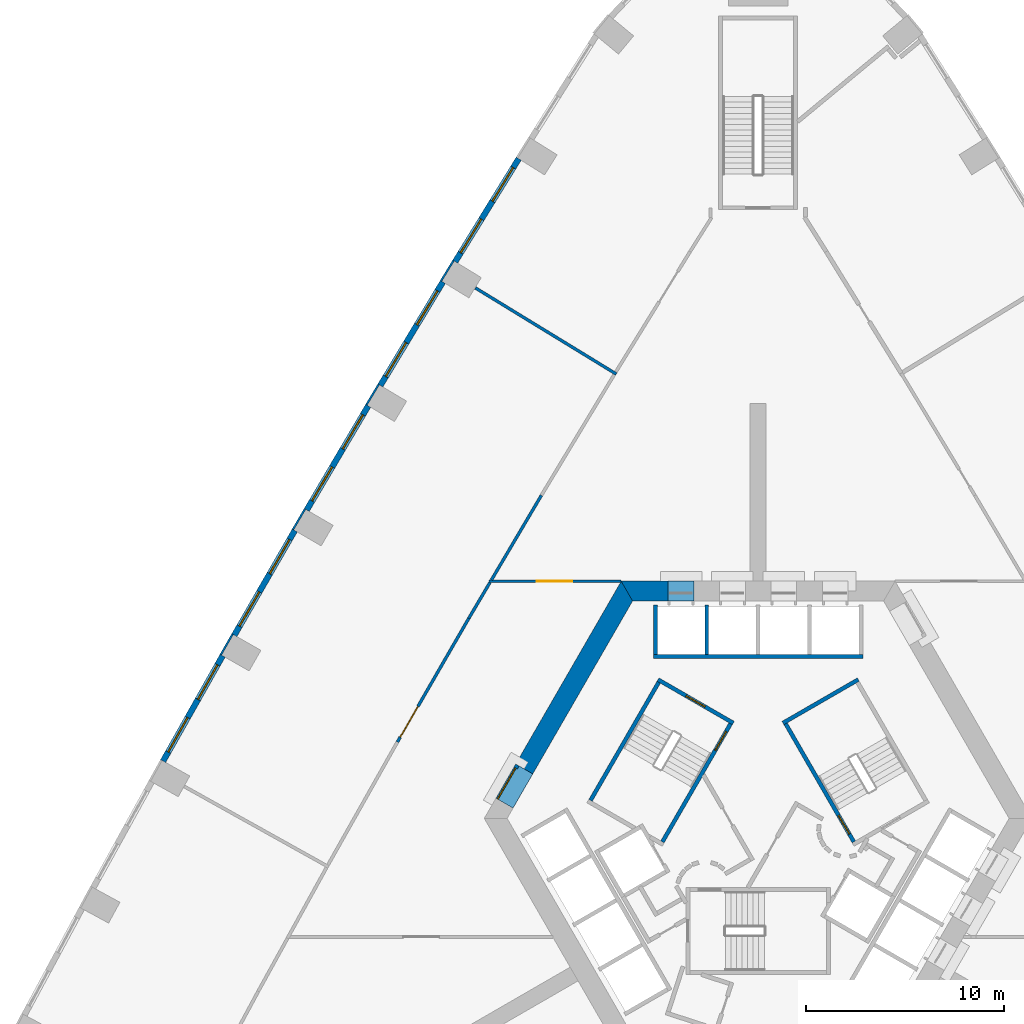
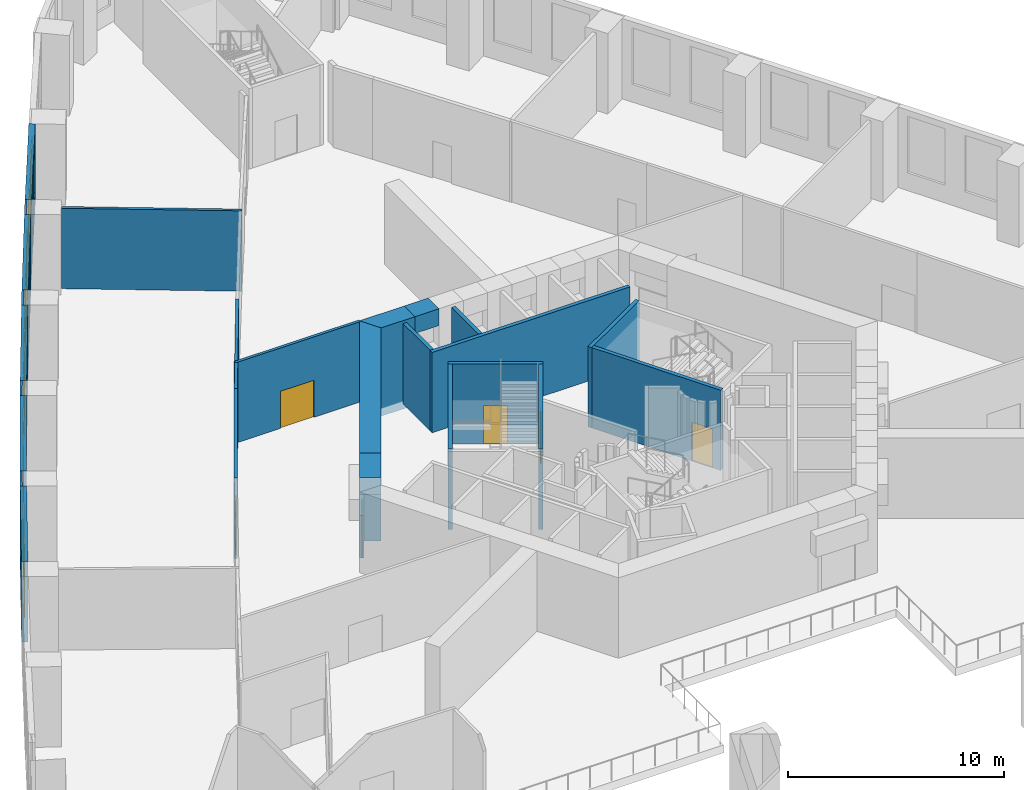
# One storey, part 5 of 16: 27 walls, 10 windows, 6 doors, 16 openings.
"""IFC4 building model written with IfcOpenShell, lengths in metres."""

from ifc_helpers import new_model, si_unit, direction, frame, frame_2d, origin, place, context, subcontext, project, spatial, polyline, rectangle, outline, extrude, material, layer, layer_set, type_object, element, fill, save


model = new_model("IFC4")

# Units and contexts
model_context = context("Model", 3, precision=1e-05, world=origin(), true_north=direction((0.0, 1.0)))
body_context = subcontext(model_context, "Body", "Model", "MODEL_VIEW")
ifc_project = project(units=[si_unit("LENGTHUNIT", "METRE"), si_unit("AREAUNIT", "SQUARE_METRE"), si_unit("VOLUMEUNIT", "CUBIC_METRE"), si_unit("PLANEANGLEUNIT", "RADIAN"), si_unit("MASSUNIT", "GRAM", prefix="KILO")], contexts=[model_context])

# Site, building, storey
site_placement = place(None, origin())
site = spatial("IfcSite", under=ifc_project, at=site_placement, CompositionType="ELEMENT")
building_placement = place(site_placement, origin())
building = spatial("IfcBuilding", under=site, at=building_placement, Name="Entoto Arch Interchange Tower", CompositionType="ELEMENT")
storey_placement = place(building_placement, frame((0.0, 0.0, 25.0)))
storey = spatial("IfcBuildingStorey", under=building, at=storey_placement, Name="L04", CompositionType="ELEMENT", Elevation=25.0)

# Wall, opening, door
ifc_material_1 = material(Name="Reinforced concrete C40/50", Category="concrete")
ifc_layer_1 = layer(ifc_material_1, 0.199951171875)
ifc_layer_set_1 = layer_set([ifc_layer_1], Name="Reinforced concrete C40/50")
wall_type_1 = type_object("IfcWallType", Name="CORE GAP INFILL WALL", PredefinedType="PARTITIONING", material=ifc_layer_set_1)
wall_1_placement = place(storey_placement, frame((-12.179931640625, 5.201904296875, 0.0), z_axis=(0.0, 0.0, 1.0), x_axis=(-0.50002537861, -0.866010750942, 0.0)))
wall_1 = element("IfcWall", 1, at=wall_1_placement, inside=storey, type_object=wall_type_1, Name="wall:L04:gap3", PredefinedType="PARTITIONING", context=body_context, shape_type="SweptSolid", body=[
    extrude(rectangle(XDim=2.0, YDim=0.199951171875, at=frame_2d((1.0, 0.0))), origin(), (0.0, 0.0, 1.0), 2.39990234375),
])
opening_1_placement = place(wall_1_placement, frame((0.18994140625, 0.0, 0.0)))
opening_1 = element("IfcOpeningElement", 2, at=opening_1_placement, cuts=wall_1, Name="Opening L04-D93", PredefinedType="OPENING", context=body_context, shape_type="SweptSolid", body=[
    extrude(rectangle(XDim=1.800048828125, YDim=2.10009765625, at=frame_2d((0.89990234375, 1.050048828125))), frame((0.0, 0.10986328125, 0.0), z_axis=(0.0, -1.0, 0.0), x_axis=(1.0, 0.0, 0.0)), (0.0, 0.0, 1.0), 0.219970703125),
])
ifc_material_2 = material(Name="Fire-rated Steel S235 door and frame", Category="steel")
door_type_1 = type_object("IfcDoorType", Name="DOOR FD-18 1800x2100", OperationType="DOUBLE_DOOR_SINGLE_SWING", PredefinedType="DOOR", material=ifc_material_2)
door_1_placement = place(opening_1_placement, origin())
door_1 = element("IfcDoor", 3, at=door_1_placement, inside=storey, type_object=door_type_1, Name="door:L04:gap3", OperationType="DOUBLE_DOOR_SINGLE_SWING", OverallHeight=2.10009765625, OverallWidth=1.800048828125, PredefinedType="DOOR", context=body_context, shape_type="SweptSolid", body=[
    extrude(rectangle(XDim=1.800048828125, YDim=2.10009765625, at=frame_2d((0.89990234375, 1.050048828125))), frame((0.0, 0.02490234375, 0.0), z_axis=(0.0, -1.0, 0.0), x_axis=(1.0, 0.0, 0.0)), (0.0, 0.0, 1.0), 0.050048828125),
])
fill(opening_1, door_1)

# Walls
ifc_material_3 = material(Name="Concrete C60/75", Category="concrete")
ifc_layer_2 = layer(ifc_material_3, 1.0)
ifc_layer_set_2 = layer_set([ifc_layer_2], Name="Concrete C60/75")
wall_type_2 = type_object("IfcWallType", Name="Core wall 1000 C60/75", PredefinedType="SHEAR", material=ifc_layer_set_2)
wall_2_placement = place(storey_placement, frame((0.0, 0.0, -0.449951171875)))
element("IfcWall", 4, at=wall_2_placement, inside=storey, type_object=wall_type_2, Name="Core wall N L04", PredefinedType="SHEAR", context=body_context, shape_type="SweptSolid", body=[
    extrude(outline(polyline([(-4.550048828125, 13.5), (-4.550048828125, 14.5), (-6.927978515625, 14.5), (-6.35107421875, 13.5), (-4.550048828125, 13.5)])), origin(), (0.0, 0.0, 1.0), 5.0),
])
wall_3_placement = place(storey_placement, frame((0.0, 0.0, 3.60009765625)))
element("IfcWall", 5, at=wall_3_placement, inside=storey, type_object=wall_type_2, Name="Core wall lintel N L04", PredefinedType="SHEAR", context=body_context, shape_type="SweptSolid", body=[
    extrude(outline(polyline([(-4.550048828125, 14.5), (-4.550048828125, 13.5), (-3.25, 13.5), (-3.25, 14.5), (-4.550048828125, 14.5)])), origin(), (0.0, 0.0, 1.0), 0.949951171875),
])
wall_4_placement = place(storey_placement, frame((0.0, 0.0, -0.449951171875)))
element("IfcWall", 6, at=wall_4_placement, inside=storey, type_object=wall_type_2, Name="Core wall NW L04", PredefinedType="SHEAR", context=body_context, shape_type="SweptSolid", body=[
    extrude(outline(polyline([(-12.26708984375, 5.251953125), (-11.402099609375, 4.751953125), (-6.35107421875, 13.5), (-6.927978515625, 14.5), (-12.26708984375, 5.251953125)])), origin(), (0.0, 0.0, 1.0), 5.0),
])
wall_5_placement = place(storey_placement, frame((0.0, 0.0, 3.60009765625)))
element("IfcWall", 7, at=wall_5_placement, inside=storey, type_object=wall_type_2, Name="Core wall lintel NW L04", PredefinedType="SHEAR", context=body_context, shape_type="SweptSolid", body=[
    extrude(outline(polyline([(-13.26708984375, 3.52001953125), (-12.402099609375, 3.02001953125), (-11.402099609375, 4.751953125), (-12.26708984375, 5.251953125), (-13.26708984375, 3.52001953125)])), origin(), (0.0, 0.0, 1.0), 0.949951171875),
])
ifc_material_4 = material(Name="Concrete C40/50", Category="concrete")
ifc_layer_3 = layer(ifc_material_4, 0.199951171875)
ifc_layer_set_3 = layer_set([ifc_layer_3], Name="Concrete C40/50")
wall_type_3 = type_object("IfcWallType", Name="LIFT SHAFT WALL 200", PredefinedType="STANDARD", material=ifc_layer_set_3)
wall_6_placement = place(storey_placement, frame((5.300048828125, 10.699951171875, 0.0), z_axis=(0.0, 0.0, 1.0), x_axis=(-1.0, 0.0, 0.0)))
element("IfcWall", 8, at=wall_6_placement, inside=storey, type_object=wall_type_3, Name="Shaft wall N3 front", PredefinedType="STANDARD", context=body_context, shape_type="SweptSolid", body=[
    extrude(rectangle(XDim=10.60009765625, YDim=0.199951171875, at=frame_2d((5.300048828125, 0.0))), origin(), (0.0, 0.0, 1.0), 4.550048828125),
])
for number, where, z_axis, x_axis, name in (
    (9, (-2.60009765625, 10.800048828125, 0.0), (0.0, 0.0, 1.0), (0.0, 1.0, 0.0), "Shaft wall N3 cross 4"),
    (10, (-5.199951171875, 10.800048828125, 0.0), (0.0, 0.0, 1.0), (0.0, 1.0, 0.0), "Shaft wall N3 cross 5"),
):
    element("IfcWall", number, at=place(storey_placement, frame(where, z_axis=z_axis, x_axis=x_axis)), inside=storey, type_object=wall_type_3, Name=name, PredefinedType="STANDARD", context=body_context, shape_type="SweptSolid", body=[
        extrude(rectangle(XDim=2.5, YDim=0.199951171875, at=frame_2d((1.25, 0.0))), origin(), (0.0, 0.0, 1.0), 4.550048828125),
    ])
ifc_material_5 = material(Name="Gypsum board partition on steel studs", Category="steel")
ifc_layer_4 = layer(ifc_material_5, 0.14990234375)
ifc_layer_set_4 = layer_set([ifc_layer_4], Name="Gypsum board partition on steel studs")
wall_type_4 = type_object("IfcWallType", Name="PARTITION 150", PredefinedType="PARTITIONING", material=ifc_layer_set_4)
wall_7_placement = place(storey_placement, frame((-7.177001953125, 24.98291015625, 0.0), z_axis=(0.0, 0.0, 1.0), x_axis=(-0.85316479293, 0.521641482347, 0.0)))
element("IfcWall", 11, at=wall_7_placement, inside=storey, type_object=wall_type_4, Name="wall:L04:p066", PredefinedType="PARTITIONING", context=body_context, shape_type="SweptSolid", body=[
    extrude(rectangle(XDim=8.354736328125, YDim=0.14990234375, at=frame_2d((4.17724609375, 0.0))), origin(), (0.0, 0.0, 1.0), 4.550048828125),
])
wall_8_placement = place(storey_placement, frame((-13.571044921875, 14.43505859375, 0.0), z_axis=(0.0, 0.0, 1.0), x_axis=(-0.508494775472, -0.861065074961, 0.0)))
element("IfcWall", 12, at=wall_8_placement, inside=storey, type_object=wall_type_4, Name="wall:L04:p071", PredefinedType="PARTITIONING", context=body_context, shape_type="SweptSolid", body=[
    extrude(rectangle(XDim=2.1044921875, YDim=0.14990234375, at=frame_2d((1.05224609375, 0.0))), origin(), (0.0, 0.0, 1.0), 4.550048828125),
])

# Wall, opening, door
wall_9_placement = place(storey_placement, frame((-14.64111328125, 12.623046875, 0.0), z_axis=(0.0, 0.0, 1.0), x_axis=(-0.499941911129, -0.866058938812, 0.0)))
wall_9 = element("IfcWall", 13, at=wall_9_placement, inside=storey, type_object=wall_type_4, Name="wall:L04:p072", PredefinedType="PARTITIONING", context=body_context, shape_type="SweptSolid", body=[
    extrude(rectangle(XDim=7.222412109375, YDim=0.14990234375, at=frame_2d((3.611328125, 0.0))), origin(), (0.0, 0.0, 1.0), 4.550048828125),
])
opening_2_placement = place(wall_9_placement, frame((5.14697265625, 0.0, 0.0)))
opening_2 = element("IfcOpeningElement", 14, at=opening_2_placement, cuts=wall_9, Name="Opening L04-D12", PredefinedType="OPENING", context=body_context, shape_type="SweptSolid", body=[
    extrude(rectangle(XDim=1.800048828125, YDim=2.10009765625, at=frame_2d((0.89990234375, 1.050048828125))), frame((0.0, 0.0849609375, 0.0), z_axis=(0.0, -1.0, 0.0), x_axis=(1.0, 0.0, 0.0)), (0.0, 0.0, 1.0), 0.169921875),
])
ifc_material_6 = material(Name="Timber door leaf in Steel S235 frame", Category="steel")
door_type_2 = type_object("IfcDoorType", Name="DOOR DD-18 1800x2100", OperationType="DOUBLE_DOOR_SINGLE_SWING", PredefinedType="DOOR", material=ifc_material_6)
door_2_placement = place(opening_2_placement, origin())
door_2 = element("IfcDoor", 15, at=door_2_placement, inside=storey, type_object=door_type_2, Name="door:L04:12", OperationType="DOUBLE_DOOR_SINGLE_SWING", OverallHeight=2.10009765625, OverallWidth=1.800048828125, PredefinedType="DOOR", context=body_context, shape_type="SweptSolid", body=[
    extrude(rectangle(XDim=1.800048828125, YDim=2.10009765625, at=frame_2d((0.89990234375, 1.050048828125))), frame((0.0, 0.02490234375, 0.0), z_axis=(0.0, -1.0, 0.0), x_axis=(1.0, 0.0, 0.0)), (0.0, 0.0, 1.0), 0.050048828125),
])
fill(opening_2, door_2)

# Wall
wall_10_placement = place(storey_placement, frame((-10.968017578125, 18.844970703125, 0.0), z_axis=(0.0, 0.0, 1.0), x_axis=(-0.508429753822, -0.861103469641, 0.0)))
element("IfcWall", 16, at=wall_10_placement, inside=storey, type_object=wall_type_4, Name="wall:L04:p075", PredefinedType="PARTITIONING", context=body_context, shape_type="SweptSolid", body=[
    extrude(rectangle(XDim=4.970458984375, YDim=0.14990234375, at=frame_2d((2.4853515625, 0.0))), origin(), (0.0, 0.0, 1.0), 4.550048828125),
])

# Wall, opening, door
wall_11_placement = place(storey_placement, frame((-13.60791015625, 14.5, 0.0), z_axis=(0.0, 0.0, 1.0), x_axis=(1.0, 0.0, 0.0)))
wall_11 = element("IfcWall", 17, at=wall_11_placement, inside=storey, type_object=wall_type_4, Name="wall:L04:p087", PredefinedType="PARTITIONING", context=body_context, shape_type="SweptSolid", body=[
    extrude(rectangle(XDim=6.679931640625, YDim=0.14990234375, at=frame_2d((3.33984375, 0.0))), origin(), (0.0, 0.0, 1.0), 4.550048828125),
])
opening_3_placement = place(wall_11_placement, frame((2.405029296875, 0.0, 0.0)))
opening_3 = element("IfcOpeningElement", 18, at=opening_3_placement, cuts=wall_11, Name="Opening L04-D04", PredefinedType="OPENING", context=body_context, shape_type="SweptSolid", body=[
    extrude(rectangle(XDim=1.800048828125, YDim=2.10009765625, at=frame_2d((0.89990234375, 1.050048828125))), frame((0.0, 0.0849609375, 0.0), z_axis=(0.0, -1.0, 0.0), x_axis=(1.0, 0.0, 0.0)), (0.0, 0.0, 1.0), 0.169921875),
])
door_3_placement = place(opening_3_placement, origin())
door_3 = element("IfcDoor", 19, at=door_3_placement, inside=storey, type_object=door_type_1, Name="door:L04:04", OperationType="DOUBLE_DOOR_SINGLE_SWING", OverallHeight=2.10009765625, OverallWidth=1.800048828125, PredefinedType="DOOR", context=body_context, shape_type="SweptSolid", body=[
    extrude(rectangle(XDim=1.800048828125, YDim=2.10009765625, at=frame_2d((0.89990234375, 1.050048828125))), frame((0.0, 0.02490234375, 0.0), z_axis=(0.0, -1.0, 0.0), x_axis=(1.0, 0.0, 0.0)), (0.0, 0.0, 1.0), 0.050048828125),
])
fill(opening_3, door_3)

# Wall
ifc_layer_5 = layer(ifc_material_4, 0.199951171875)
ifc_layer_set_5 = layer_set([ifc_layer_5], Name="Concrete C40/50")
wall_type_5 = type_object("IfcWallType", Name="STAIR ENCLOSURE WALL 200", PredefinedType="STANDARD", material=ifc_layer_set_5)
wall_12_placement = place(storey_placement, frame((1.256103515625, 7.323974609375, 0.0), z_axis=(0.0, 0.0, 1.0), x_axis=(0.866046073146, 0.499964197906, 0.0)))
element("IfcWall", 20, at=wall_12_placement, inside=storey, type_object=wall_type_5, Name="Stair wall ST-NE far", PredefinedType="STANDARD", context=body_context, shape_type="SweptSolid", body=[
    extrude(rectangle(XDim=4.400146484375, YDim=0.199951171875, at=frame_2d((2.2001953125, 0.0))), origin(), (0.0, 0.0, 1.0), 4.550048828125),
])

# Wall, opening, door
wall_13_placement = place(storey_placement, frame((4.843017578125, 1.31201171875, 0.0), z_axis=(0.0, 0.0, 1.0), x_axis=(-0.499963383562, 0.866046543262, 0.0)))
wall_13 = element("IfcWall", 21, at=wall_13_placement, inside=storey, type_object=wall_type_5, Name="Stair wall ST-NE hall", PredefinedType="STANDARD", context=body_context, shape_type="SweptSolid", body=[
    extrude(rectangle(XDim=6.900390625, YDim=0.199951171875, at=frame_2d((3.4501953125, 0.0))), origin(), (0.0, 0.0, 1.0), 4.550048828125),
])
opening_4_placement = place(wall_13_placement, frame((0.449951171875, 0.0, 0.0)))
opening_4 = element("IfcOpeningElement", 22, at=opening_4_placement, cuts=wall_13, Name="Opening SD-ST-NE-L04", PredefinedType="OPENING", context=body_context, shape_type="SweptSolid", body=[
    extrude(rectangle(XDim=1.10009765625, YDim=2.199951171875, at=frame_2d((0.550048828125, 1.10009765625))), frame((0.0, 0.10986328125, 0.0), z_axis=(0.0, -1.0, 0.0), x_axis=(1.0, 0.0, 0.0)), (0.0, 0.0, 1.0), 0.219970703125),
])
ifc_material_7 = material(Name="Steel S235", Category="steel")
door_type_3 = type_object("IfcDoorType", Name="STAIR DOOR SD1 1100x2200", OperationType="SINGLE_SWING_LEFT", PredefinedType="DOOR", material=ifc_material_7)
door_4_placement = place(opening_4_placement, origin())
door_4 = element("IfcDoor", 23, at=door_4_placement, inside=storey, type_object=door_type_3, Name="Stair door ST-NE L04", OperationType="SINGLE_SWING_LEFT", OverallHeight=2.199951171875, OverallWidth=1.10009765625, PredefinedType="DOOR", context=body_context, shape_type="SweptSolid", body=[
    extrude(rectangle(XDim=1.10009765625, YDim=2.199951171875, at=frame_2d((0.550048828125, 1.10009765625))), frame((0.0, 0.02490234375, 0.0), z_axis=(0.0, -1.0, 0.0), x_axis=(1.0, 0.0, 0.0)), (0.0, 0.0, 1.0), 0.050048828125),
])
fill(opening_4, door_4)

wall_14_placement = place(storey_placement, frame((-1.256103515625, 7.323974609375, 0.0), z_axis=(0.0, 0.0, 1.0), x_axis=(-0.866046073146, 0.499964197906, 0.0)))
wall_14 = element("IfcWall", 24, at=wall_14_placement, inside=storey, type_object=wall_type_5, Name="Stair wall ST-NW near", PredefinedType="STANDARD", context=body_context, shape_type="SweptSolid", body=[
    extrude(rectangle(XDim=4.400146484375, YDim=0.199951171875, at=frame_2d((2.2001953125, 0.0))), origin(), (0.0, 0.0, 1.0), 4.550048828125),
])
opening_5_placement = place(wall_14_placement, frame((1.64990234375, 0.0, 0.0)))
opening_5 = element("IfcOpeningElement", 25, at=opening_5_placement, cuts=wall_14, Name="Opening SD-ST-NW-L04-E", PredefinedType="OPENING", context=body_context, shape_type="SweptSolid", body=[
    extrude(rectangle(XDim=1.10009765625, YDim=2.199951171875, at=frame_2d((0.550048828125, 1.10009765625))), frame((0.0, 0.10986328125, 0.0), z_axis=(0.0, -1.0, 0.0), x_axis=(1.0, 0.0, 0.0)), (0.0, 0.0, 1.0), 0.219970703125),
])
door_5_placement = place(opening_5_placement, origin())
door_5 = element("IfcDoor", 26, at=door_5_placement, inside=storey, type_object=door_type_3, Name="Stair door ST-NW L04 end", OperationType="SINGLE_SWING_LEFT", OverallHeight=2.199951171875, OverallWidth=1.10009765625, PredefinedType="DOOR", context=body_context, shape_type="SweptSolid", body=[
    extrude(rectangle(XDim=1.10009765625, YDim=2.199951171875, at=frame_2d((0.550048828125, 1.10009765625))), frame((0.0, 0.02490234375, 0.0), z_axis=(0.0, -1.0, 0.0), x_axis=(1.0, 0.0, 0.0)), (0.0, 0.0, 1.0), 0.050048828125),
])
fill(opening_5, door_5)

wall_15_placement = place(storey_placement, frame((-1.39306640625, 7.2880859375, 0.0), z_axis=(0.0, 0.0, 1.0), x_axis=(-0.499963383562, -0.866046543262, 0.0)))
wall_15 = element("IfcWall", 27, at=wall_15_placement, inside=storey, type_object=wall_type_5, Name="Stair wall ST-NW hall", PredefinedType="STANDARD", context=body_context, shape_type="SweptSolid", body=[
    extrude(rectangle(XDim=6.900390625, YDim=0.199951171875, at=frame_2d((3.4501953125, 0.0))), origin(), (0.0, 0.0, 1.0), 4.550048828125),
])
opening_6_placement = place(wall_15_placement, frame((0.449951171875, 0.0, 0.0)))
opening_6 = element("IfcOpeningElement", 28, at=opening_6_placement, cuts=wall_15, Name="Opening SD-ST-NW-L04", PredefinedType="OPENING", context=body_context, shape_type="SweptSolid", body=[
    extrude(rectangle(XDim=1.10009765625, YDim=2.199951171875, at=frame_2d((0.550048828125, 1.10009765625))), frame((0.0, 0.10986328125, 0.0), z_axis=(0.0, -1.0, 0.0), x_axis=(1.0, 0.0, 0.0)), (0.0, 0.0, 1.0), 0.219970703125),
])
door_6_placement = place(opening_6_placement, origin())
door_6 = element("IfcDoor", 29, at=door_6_placement, inside=storey, type_object=door_type_3, Name="Stair door ST-NW L04", OperationType="SINGLE_SWING_LEFT", OverallHeight=2.199951171875, OverallWidth=1.10009765625, PredefinedType="DOOR", context=body_context, shape_type="SweptSolid", body=[
    extrude(rectangle(XDim=1.10009765625, YDim=2.199951171875, at=frame_2d((0.550048828125, 1.10009765625))), frame((0.0, 0.02490234375, 0.0), z_axis=(0.0, -1.0, 0.0), x_axis=(1.0, 0.0, 0.0)), (0.0, 0.0, 1.0), 0.050048828125),
])
fill(opening_6, door_6)

# Wall
wall_16_placement = place(storey_placement, frame((-5.030029296875, 9.387939453125, 0.0), z_axis=(0.0, 0.0, 1.0), x_axis=(-0.499978703459, -0.866037698999, 0.0)))
element("IfcWall", 30, at=wall_16_placement, inside=storey, type_object=wall_type_5, Name="Stair wall ST-NW back", PredefinedType="STANDARD", context=body_context, shape_type="SweptSolid", body=[
    extrude(rectangle(XDim=6.900146484375, YDim=0.199951171875, at=frame_2d((3.4501953125, 0.0))), origin(), (0.0, 0.0, 1.0), 4.550048828125),
])

# Wall, openings, windows
ifc_material_8 = material(Name="Welded tuff (ignimbrite) cladding, warm buff", Category="masonry")
ifc_layer_6 = layer(ifc_material_8, 0.300048828125)
ifc_layer_set_6 = layer_set([ifc_layer_6], Name="Welded tuff (ignimbrite) cladding, warm buff")
wall_type_6 = type_object("IfcWallType", Name="STONE INFILL WALL 300", PredefinedType="STANDARD", material=ifc_layer_set_6)
wall_17_placement = place(storey_placement, frame((-12.116943359375, 35.881103515625, 0.0), z_axis=(0.0, 0.0, 1.0), x_axis=(-0.524953701886, -0.85113078365, 0.0)))
wall_17 = element("IfcWall", 31, at=wall_17_placement, inside=storey, type_object=wall_type_6, Name="Facade wall NW-02 L04", PredefinedType="STANDARD", context=body_context, shape_type="SweptSolid", body=[
    extrude(rectangle(XDim=6.12255859375, YDim=0.300048828125, at=frame_2d((3.061279296875, 0.0))), origin(), (0.0, 0.0, 1.0), 4.550048828125),
])
opening_7_placement = place(wall_17_placement, frame((0.531005859375, 0.0, 1.0)))
opening_7 = element("IfcOpeningElement", 32, at=opening_7_placement, cuts=wall_17, Name="Opening WP-E", PredefinedType="OPENING", context=body_context, shape_type="SweptSolid", body=[
    extrude(rectangle(XDim=2.0, YDim=3.199951171875, at=frame_2d((1.0, 1.60009765625))), frame((0.0, 0.16015625, 0.0), z_axis=(0.0, -1.0, 0.0), x_axis=(1.0, 0.0, 0.0)), (0.0, 0.0, 1.0), 0.320068359375),
])
opening_8_placement = place(wall_17_placement, frame((3.592041015625, 0.0, 1.0)))
opening_8 = element("IfcOpeningElement", 33, at=opening_8_placement, cuts=wall_17, Name="Opening WP-E", PredefinedType="OPENING", context=body_context, shape_type="SweptSolid", body=[
    extrude(rectangle(XDim=2.0, YDim=3.199951171875, at=frame_2d((1.0, 1.60009765625))), frame((0.0, 0.16015625, 0.0), z_axis=(0.0, -1.0, 0.0), x_axis=(1.0, 0.0, 0.0)), (0.0, 0.0, 1.0), 0.320068359375),
])
ifc_material_9 = material(Name="Clear glass, low-e double glazed", Category="glass")
window_type = type_object("IfcWindowType", Name="WINDOW WP-E 2000x3200", PartitioningType="DOUBLE_PANEL_VERTICAL", PredefinedType="WINDOW", material=ifc_material_9)
window_1_placement = place(opening_7_placement, origin())
window_1 = element("IfcWindow", 34, at=window_1_placement, inside=storey, type_object=window_type, Name="Window WP-E NW-02 L04", OverallHeight=3.199951171875, OverallWidth=2.0, PartitioningType="SINGLE_PANEL", PredefinedType="WINDOW", context=body_context, shape_type="SweptSolid", body=[
    extrude(rectangle(XDim=2.0, YDim=3.199951171875, at=frame_2d((1.0, 1.60009765625))), frame((0.0, 0.030029296875, 0.0), z_axis=(0.0, -1.0, 0.0), x_axis=(1.0, 0.0, 0.0)), (0.0, 0.0, 1.0), 0.06005859375),
])
fill(opening_7, window_1)
window_2_placement = place(opening_8_placement, origin())
window_2 = element("IfcWindow", 35, at=window_2_placement, inside=storey, type_object=window_type, Name="Window WP-E NW-02 L04", OverallHeight=3.199951171875, OverallWidth=2.0, PartitioningType="SINGLE_PANEL", PredefinedType="WINDOW", context=body_context, shape_type="SweptSolid", body=[
    extrude(rectangle(XDim=2.0, YDim=3.199951171875, at=frame_2d((1.0, 1.60009765625))), frame((0.0, 0.030029296875, 0.0), z_axis=(0.0, -1.0, 0.0), x_axis=(1.0, 0.0, 0.0)), (0.0, 0.0, 1.0), 0.06005859375),
])
fill(opening_8, window_2)

wall_18_placement = place(storey_placement, frame((-15.9541015625, 29.64697265625, 0.0), z_axis=(0.0, 0.0, 1.0), x_axis=(-0.516687651362, -0.85617397235, 0.0)))
wall_18 = element("IfcWall", 36, at=wall_18_placement, inside=storey, type_object=wall_type_6, Name="Facade wall NW-03 L04", PredefinedType="STANDARD", context=body_context, shape_type="SweptSolid", body=[
    extrude(rectangle(XDim=6.121337890625, YDim=0.300048828125, at=frame_2d((3.060546875, 0.0))), origin(), (0.0, 0.0, 1.0), 4.550048828125),
])
opening_9_placement = place(wall_18_placement, frame((0.530029296875, 0.0, 1.0)))
opening_9 = element("IfcOpeningElement", 37, at=opening_9_placement, cuts=wall_18, Name="Opening WP-E", PredefinedType="OPENING", context=body_context, shape_type="SweptSolid", body=[
    extrude(rectangle(XDim=2.0, YDim=3.199951171875, at=frame_2d((1.0, 1.60009765625))), frame((0.0, 0.16015625, 0.0), z_axis=(0.0, -1.0, 0.0), x_axis=(1.0, 0.0, 0.0)), (0.0, 0.0, 1.0), 0.320068359375),
])
opening_10_placement = place(wall_18_placement, frame((3.591064453125, 0.0, 1.0)))
opening_10 = element("IfcOpeningElement", 38, at=opening_10_placement, cuts=wall_18, Name="Opening WP-E", PredefinedType="OPENING", context=body_context, shape_type="SweptSolid", body=[
    extrude(rectangle(XDim=2.0, YDim=3.199951171875, at=frame_2d((1.0, 1.60009765625))), frame((0.0, 0.16015625, 0.0), z_axis=(0.0, -1.0, 0.0), x_axis=(1.0, 0.0, 0.0)), (0.0, 0.0, 1.0), 0.320068359375),
])
window_3_placement = place(opening_9_placement, origin())
window_3 = element("IfcWindow", 39, at=window_3_placement, inside=storey, type_object=window_type, Name="Window WP-E NW-03 L04", OverallHeight=3.199951171875, OverallWidth=2.0, PartitioningType="SINGLE_PANEL", PredefinedType="WINDOW", context=body_context, shape_type="SweptSolid", body=[
    extrude(rectangle(XDim=2.0, YDim=3.199951171875, at=frame_2d((1.0, 1.60009765625))), frame((0.0, 0.030029296875, 0.0), z_axis=(0.0, -1.0, 0.0), x_axis=(1.0, 0.0, 0.0)), (0.0, 0.0, 1.0), 0.06005859375),
])
fill(opening_9, window_3)
window_4_placement = place(opening_10_placement, origin())
window_4 = element("IfcWindow", 40, at=window_4_placement, inside=storey, type_object=window_type, Name="Window WP-E NW-03 L04", OverallHeight=3.199951171875, OverallWidth=2.0, PartitioningType="SINGLE_PANEL", PredefinedType="WINDOW", context=body_context, shape_type="SweptSolid", body=[
    extrude(rectangle(XDim=2.0, YDim=3.199951171875, at=frame_2d((1.0, 1.60009765625))), frame((0.0, 0.030029296875, 0.0), z_axis=(0.0, -1.0, 0.0), x_axis=(1.0, 0.0, 0.0)), (0.0, 0.0, 1.0), 0.06005859375),
])
fill(opening_10, window_4)

wall_19_placement = place(storey_placement, frame((-19.73095703125, 23.376953125, 0.0), z_axis=(0.0, 0.0, 1.0), x_axis=(-0.50834231483, -0.861155091115, 0.0)))
wall_19 = element("IfcWall", 41, at=wall_19_placement, inside=storey, type_object=wall_type_6, Name="Facade wall NW-04 L04", PredefinedType="STANDARD", context=body_context, shape_type="SweptSolid", body=[
    extrude(rectangle(XDim=6.1220703125, YDim=0.300048828125, at=frame_2d((3.06103515625, 0.0))), origin(), (0.0, 0.0, 1.0), 4.550048828125),
])
opening_11_placement = place(wall_19_placement, frame((0.530029296875, 0.0, 1.0)))
opening_11 = element("IfcOpeningElement", 42, at=opening_11_placement, cuts=wall_19, Name="Opening WP-E", PredefinedType="OPENING", context=body_context, shape_type="SweptSolid", body=[
    extrude(rectangle(XDim=2.0, YDim=3.199951171875, at=frame_2d((1.0, 1.60009765625))), frame((0.0, 0.16015625, 0.0), z_axis=(0.0, -1.0, 0.0), x_axis=(1.0, 0.0, 0.0)), (0.0, 0.0, 1.0), 0.320068359375),
])
opening_12_placement = place(wall_19_placement, frame((3.591064453125, 0.0, 1.0)))
opening_12 = element("IfcOpeningElement", 43, at=opening_12_placement, cuts=wall_19, Name="Opening WP-E", PredefinedType="OPENING", context=body_context, shape_type="SweptSolid", body=[
    extrude(rectangle(XDim=2.0, YDim=3.199951171875, at=frame_2d((1.0, 1.60009765625))), frame((0.0, 0.16015625, 0.0), z_axis=(0.0, -1.0, 0.0), x_axis=(1.0, 0.0, 0.0)), (0.0, 0.0, 1.0), 0.320068359375),
])
window_5_placement = place(opening_11_placement, origin())
window_5 = element("IfcWindow", 44, at=window_5_placement, inside=storey, type_object=window_type, Name="Window WP-E NW-04 L04", OverallHeight=3.199951171875, OverallWidth=2.0, PartitioningType="SINGLE_PANEL", PredefinedType="WINDOW", context=body_context, shape_type="SweptSolid", body=[
    extrude(rectangle(XDim=2.0, YDim=3.199951171875, at=frame_2d((1.0, 1.60009765625))), frame((0.0, 0.030029296875, 0.0), z_axis=(0.0, -1.0, 0.0), x_axis=(1.0, 0.0, 0.0)), (0.0, 0.0, 1.0), 0.06005859375),
])
fill(opening_11, window_5)
window_6_placement = place(opening_12_placement, origin())
window_6 = element("IfcWindow", 45, at=window_6_placement, inside=storey, type_object=window_type, Name="Window WP-E NW-04 L04", OverallHeight=3.199951171875, OverallWidth=2.0, PartitioningType="SINGLE_PANEL", PredefinedType="WINDOW", context=body_context, shape_type="SweptSolid", body=[
    extrude(rectangle(XDim=2.0, YDim=3.199951171875, at=frame_2d((1.0, 1.60009765625))), frame((0.0, 0.030029296875, 0.0), z_axis=(0.0, -1.0, 0.0), x_axis=(1.0, 0.0, 0.0)), (0.0, 0.0, 1.0), 0.06005859375),
])
fill(opening_12, window_6)

wall_20_placement = place(storey_placement, frame((-23.447021484375, 17.071044921875, 0.0), z_axis=(0.0, 0.0, 1.0), x_axis=(-0.499939977436, -0.866060055055, 0.0)))
wall_20 = element("IfcWall", 46, at=wall_20_placement, inside=storey, type_object=wall_type_6, Name="Facade wall NW-05 L04", PredefinedType="STANDARD", context=body_context, shape_type="SweptSolid", body=[
    extrude(rectangle(XDim=6.120849609375, YDim=0.300048828125, at=frame_2d((3.060546875, 0.0))), origin(), (0.0, 0.0, 1.0), 4.550048828125),
])
opening_13_placement = place(wall_20_placement, frame((0.530029296875, 0.0, 1.0)))
opening_13 = element("IfcOpeningElement", 47, at=opening_13_placement, cuts=wall_20, Name="Opening WP-E", PredefinedType="OPENING", context=body_context, shape_type="SweptSolid", body=[
    extrude(rectangle(XDim=2.0, YDim=3.199951171875, at=frame_2d((1.0, 1.60009765625))), frame((0.0, 0.16015625, 0.0), z_axis=(0.0, -1.0, 0.0), x_axis=(1.0, 0.0, 0.0)), (0.0, 0.0, 1.0), 0.320068359375),
])
opening_14_placement = place(wall_20_placement, frame((3.591064453125, 0.0, 1.0)))
opening_14 = element("IfcOpeningElement", 48, at=opening_14_placement, cuts=wall_20, Name="Opening WP-E", PredefinedType="OPENING", context=body_context, shape_type="SweptSolid", body=[
    extrude(rectangle(XDim=2.0, YDim=3.199951171875, at=frame_2d((1.0, 1.60009765625))), frame((0.0, 0.16015625, 0.0), z_axis=(0.0, -1.0, 0.0), x_axis=(1.0, 0.0, 0.0)), (0.0, 0.0, 1.0), 0.320068359375),
])
window_7_placement = place(opening_13_placement, origin())
window_7 = element("IfcWindow", 49, at=window_7_placement, inside=storey, type_object=window_type, Name="Window WP-E NW-05 L04", OverallHeight=3.199951171875, OverallWidth=2.0, PartitioningType="SINGLE_PANEL", PredefinedType="WINDOW", context=body_context, shape_type="SweptSolid", body=[
    extrude(rectangle(XDim=2.0, YDim=3.199951171875, at=frame_2d((1.0, 1.60009765625))), frame((0.0, 0.030029296875, 0.0), z_axis=(0.0, -1.0, 0.0), x_axis=(1.0, 0.0, 0.0)), (0.0, 0.0, 1.0), 0.06005859375),
])
fill(opening_13, window_7)
window_8_placement = place(opening_14_placement, origin())
window_8 = element("IfcWindow", 50, at=window_8_placement, inside=storey, type_object=window_type, Name="Window WP-E NW-05 L04", OverallHeight=3.199951171875, OverallWidth=2.0, PartitioningType="SINGLE_PANEL", PredefinedType="WINDOW", context=body_context, shape_type="SweptSolid", body=[
    extrude(rectangle(XDim=2.0, YDim=3.199951171875, at=frame_2d((1.0, 1.60009765625))), frame((0.0, 0.030029296875, 0.0), z_axis=(0.0, -1.0, 0.0), x_axis=(1.0, 0.0, 0.0)), (0.0, 0.0, 1.0), 0.06005859375),
])
fill(opening_14, window_8)

wall_21_placement = place(storey_placement, frame((-27.10107421875, 10.72998046875, 0.0), z_axis=(0.0, 0.0, 1.0), x_axis=(-0.491661677717, -0.870786308267, 0.0)))
wall_21 = element("IfcWall", 51, at=wall_21_placement, inside=storey, type_object=wall_type_6, Name="Facade wall NW-06 L04", PredefinedType="STANDARD", context=body_context, shape_type="SweptSolid", body=[
    extrude(rectangle(XDim=6.1220703125, YDim=0.300048828125, at=frame_2d((3.06103515625, 0.0))), origin(), (0.0, 0.0, 1.0), 4.550048828125),
])
opening_15_placement = place(wall_21_placement, frame((0.531005859375, 0.0, 1.0)))
opening_15 = element("IfcOpeningElement", 52, at=opening_15_placement, cuts=wall_21, Name="Opening WP-E", PredefinedType="OPENING", context=body_context, shape_type="SweptSolid", body=[
    extrude(rectangle(XDim=2.0, YDim=3.199951171875, at=frame_2d((1.0, 1.60009765625))), frame((0.0, 0.16015625, 0.0), z_axis=(0.0, -1.0, 0.0), x_axis=(1.0, 0.0, 0.0)), (0.0, 0.0, 1.0), 0.320068359375),
])
opening_16_placement = place(wall_21_placement, frame((3.592041015625, 0.0, 1.0)))
opening_16 = element("IfcOpeningElement", 53, at=opening_16_placement, cuts=wall_21, Name="Opening WP-E", PredefinedType="OPENING", context=body_context, shape_type="SweptSolid", body=[
    extrude(rectangle(XDim=2.0, YDim=3.199951171875, at=frame_2d((1.0, 1.60009765625))), frame((0.0, 0.16015625, 0.0), z_axis=(0.0, -1.0, 0.0), x_axis=(1.0, 0.0, 0.0)), (0.0, 0.0, 1.0), 0.320068359375),
])
window_9_placement = place(opening_15_placement, origin())
window_9 = element("IfcWindow", 54, at=window_9_placement, inside=storey, type_object=window_type, Name="Window WP-E NW-06 L04", OverallHeight=3.199951171875, OverallWidth=2.0, PartitioningType="SINGLE_PANEL", PredefinedType="WINDOW", context=body_context, shape_type="SweptSolid", body=[
    extrude(rectangle(XDim=2.0, YDim=3.199951171875, at=frame_2d((1.0, 1.60009765625))), frame((0.0, 0.030029296875, 0.0), z_axis=(0.0, -1.0, 0.0), x_axis=(1.0, 0.0, 0.0)), (0.0, 0.0, 1.0), 0.06005859375),
])
fill(opening_15, window_9)
window_10_placement = place(opening_16_placement, origin())
window_10 = element("IfcWindow", 55, at=window_10_placement, inside=storey, type_object=window_type, Name="Window WP-E NW-06 L04", OverallHeight=3.199951171875, OverallWidth=2.0, PartitioningType="SINGLE_PANEL", PredefinedType="WINDOW", context=body_context, shape_type="SweptSolid", body=[
    extrude(rectangle(XDim=2.0, YDim=3.199951171875, at=frame_2d((1.0, 1.60009765625))), frame((0.0, 0.030029296875, 0.0), z_axis=(0.0, -1.0, 0.0), x_axis=(1.0, 0.0, 0.0)), (0.0, 0.0, 1.0), 0.06005859375),
])
fill(opening_16, window_10)

# Walls
ifc_layer_7 = layer(ifc_material_8, 0.10009765625)
ifc_layer_set_7 = layer_set([ifc_layer_7], Name="Welded tuff (ignimbrite) cladding, warm buff")
wall_type_7 = type_object("IfcWallType", Name="STONE PIER CLADDING 100", PredefinedType="STANDARD", material=ifc_layer_set_7)
wall_22_placement = place(storey_placement, frame((-15.4169921875, 30.72412109375, 0.0), z_axis=(0.0, 0.0, 1.0), x_axis=(-0.521507599072, -0.853246637327, 0.0)))
element("IfcWall", 56, at=wall_22_placement, inside=storey, type_object=wall_type_7, Name="Stone pier NW03 L04", PredefinedType="STANDARD", context=body_context, shape_type="SweptSolid", body=[
    extrude(rectangle(XDim=1.200439453125, YDim=0.10009765625, at=frame_2d((0.60009765625, 0.0))), origin(), (0.0, 0.0, 1.0), 4.550048828125),
])
wall_23_placement = place(storey_placement, frame((-19.2041015625, 24.458984375, 0.0), z_axis=(0.0, 0.0, 1.0), x_axis=(-0.513238760752, -0.858245870635, 0.0)))
element("IfcWall", 57, at=wall_23_placement, inside=storey, type_object=wall_type_7, Name="Stone pier NW04 L04", PredefinedType="STANDARD", context=body_context, shape_type="SweptSolid", body=[
    extrude(rectangle(XDim=1.2001953125, YDim=0.10009765625, at=frame_2d((0.60009765625, 0.0))), origin(), (0.0, 0.0, 1.0), 4.550048828125),
])
wall_24_placement = place(storey_placement, frame((-22.930908203125, 18.157958984375, 0.0), z_axis=(0.0, 0.0, 1.0), x_axis=(-0.504313844903, -0.863520437418, 0.0)))
element("IfcWall", 58, at=wall_24_placement, inside=storey, type_object=wall_type_7, Name="Stone pier NW05 L04", PredefinedType="STANDARD", context=body_context, shape_type="SweptSolid", body=[
    extrude(rectangle(XDim=1.19970703125, YDim=0.10009765625, at=frame_2d((0.599853515625, 0.0))), origin(), (0.0, 0.0, 1.0), 4.550048828125),
])
wall_25_placement = place(storey_placement, frame((-26.595947265625, 11.822021484375, 0.0), z_axis=(0.0, 0.0, 1.0), x_axis=(-0.495854054996, -0.868405870629, 0.0)))
element("IfcWall", 59, at=wall_25_placement, inside=storey, type_object=wall_type_7, Name="Stone pier NW06 L04", PredefinedType="STANDARD", context=body_context, shape_type="SweptSolid", body=[
    extrude(rectangle(XDim=1.199951171875, YDim=0.10009765625, at=frame_2d((0.60009765625, 0.0))), origin(), (0.0, 0.0, 1.0), 4.550048828125),
])

save(model, "model.ifc")
